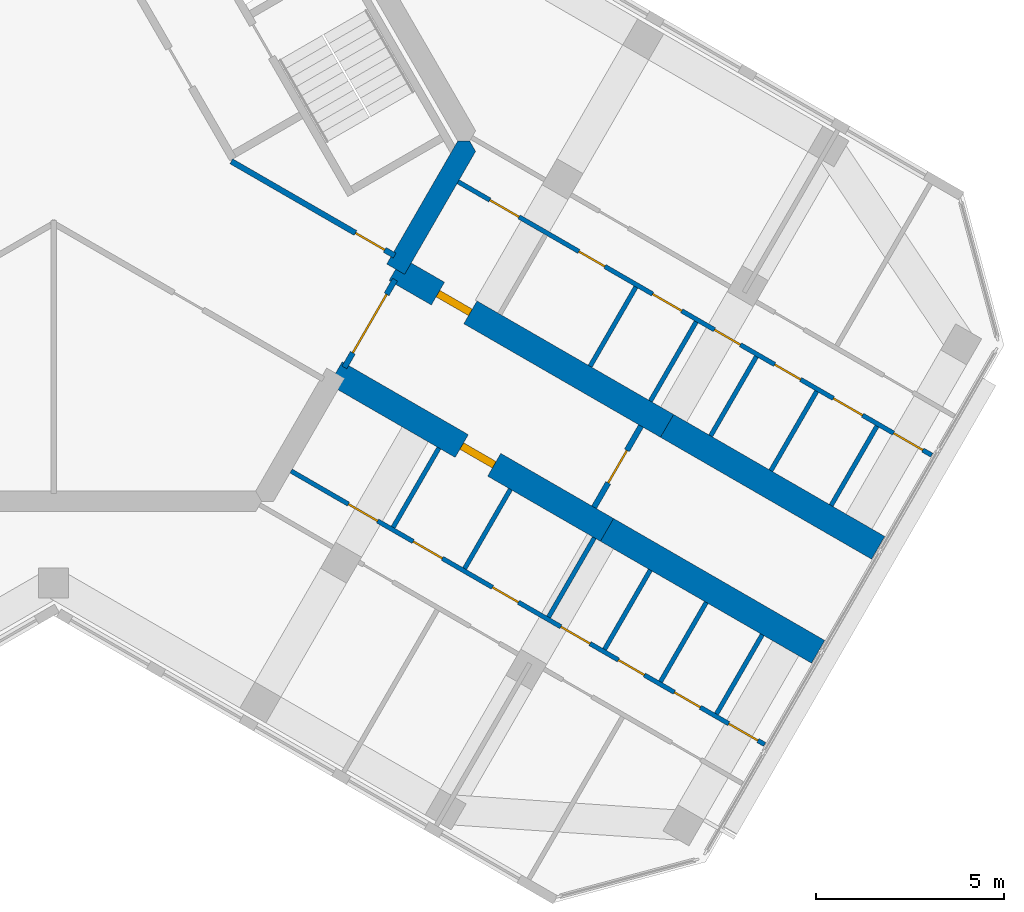
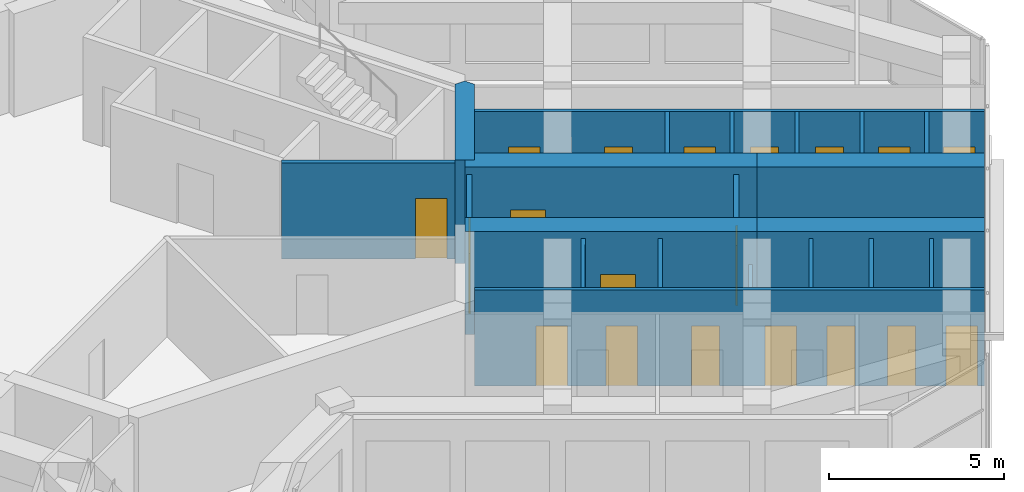
# One storey, part 10 of 14: 21 walls, 19 doors, 19 openings.
"""IFC4 building model written with IfcOpenShell, lengths in metres."""

import ifcopenshell
import ifcopenshell.guid

model = None  # the IFC model being written
_history = None  # IfcOwnerHistory: only IFC2X3 demands one
_inside = {}  # id of a spatial element -> (the spatial element, [elements in it])
_under = {}  # id of a project, library or spatial element -> (it, [spatial elements below it])
_declared = {}  # id of a project -> (the project, [libraries it declares])
_typed = {}  # id of a type object -> (the type object, [elements of that type])
_made_of = {}  # id of a material, layer set ... -> (it, [elements and type objects made of it])


def new_model(schema):
    """Start an empty IFC model of exactly this schema.

    Asked for "IFC4X3", IfcOpenShell would pick the latest addendum, in which some entities
    have other attributes; the version numbers below select the first issue.
    IFC2X3 requires an IfcOwnerHistory on every rooted entity: one is made here for all.
    """
    global model, _history
    if schema == "IFC4X3":
        model = ifcopenshell.file(schema_version=(4, 3, 0, 0))
    else:
        model = ifcopenshell.file(schema=schema)
    _inside.clear()
    _under.clear()
    _declared.clear()
    _typed.clear()
    _made_of.clear()
    _history = None
    if model.schema == "IFC2X3":
        org = make("IfcOrganization", Name="unknown")
        user = make(
            "IfcPersonAndOrganization",
            ThePerson=make("IfcPerson", FamilyName="unknown"),
            TheOrganization=org,
        )
        app = make(
            "IfcApplication",
            ApplicationDeveloper=org,
            Version="unknown",
            ApplicationFullName="unknown",
            ApplicationIdentifier="unknown",
        )
        _history = make(
            "IfcOwnerHistory",
            OwningUser=user,
            OwningApplication=app,
            ChangeAction="ADDED",
            CreationDate=0,
        )
    return model


def make(cls, **values):
    """One entity of the class cls with the attributes given. An attribute that is None is left unset."""
    return model.create_entity(
        cls, **{name: value for name, value in values.items() if value is not None}
    )


def rooted(cls, **values):
    """An entity with a GlobalId (a new one), such as an element, a storey or a relation."""
    return make(cls, GlobalId=ifcopenshell.guid.new(), OwnerHistory=_history, **values)


def si_unit(unit_type, name, prefix=None):
    """IfcSIUnit, for example si_unit("LENGTHUNIT", "METRE", prefix="MILLI")."""
    return make("IfcSIUnit", UnitType=unit_type, Prefix=prefix, Name=name)


def assignment(units):
    """IfcUnitAssignment: the units of a project."""
    return None if units is None else make("IfcUnitAssignment", Units=units)


def point(xyz):
    """IfcCartesianPoint."""
    return None if xyz is None else make("IfcCartesianPoint", Coordinates=xyz)


def direction(xyz):
    """IfcDirection."""
    return None if xyz is None else make("IfcDirection", DirectionRatios=xyz)


def frame(location, z_axis=None, x_axis=None):
    """IfcAxis2Placement3D, a coordinate frame: its origin and axes. An axis left out is left unset."""
    return make(
        "IfcAxis2Placement3D",
        Location=point(location),
        Axis=direction(z_axis),
        RefDirection=direction(x_axis),
    )


def frame_2d(location, x_axis=None):
    """IfcAxis2Placement2D, a coordinate frame in the plane: its origin and x axis."""
    return make(
        "IfcAxis2Placement2D", Location=point(location), RefDirection=direction(x_axis)
    )


def origin():
    """The frame at (0, 0, 0) with its axes left unset."""
    return frame((0.0, 0.0, 0.0))


def place(relative_to, where):
    """IfcLocalPlacement: puts the frame where relative to a parent placement (None: the world)."""
    return make(
        "IfcLocalPlacement", PlacementRelTo=relative_to, RelativePlacement=where
    )


def context(
    kind, dimensions, precision=None, world=None, true_north=None, identifier=None
):
    """IfcGeometricRepresentationContext, for example the 3D "Model" context."""
    return make(
        "IfcGeometricRepresentationContext",
        ContextIdentifier=identifier,
        ContextType=kind,
        CoordinateSpaceDimension=dimensions,
        Precision=precision,
        WorldCoordinateSystem=world,
        TrueNorth=true_north,
    )


def subcontext(parent, identifier, kind, view, scale=None):
    """IfcGeometricRepresentationSubContext, for example "Body" below "Model"."""
    return make(
        "IfcGeometricRepresentationSubContext",
        ContextIdentifier=identifier,
        ContextType=kind,
        ParentContext=parent,
        TargetScale=scale,
        TargetView=view,
    )


def project(units=None, contexts=None):
    """IfcProject with its units and contexts."""
    return rooted(
        "IfcProject",
        Name="project",
        RepresentationContexts=contexts,
        UnitsInContext=assignment(units),
    )


def spatial(cls, under=None, at=None, **own):
    """A site, building, storey or space (cls), placed at a placement, below another one or the project."""
    s = rooted(cls, ObjectPlacement=at, **own)
    if under is not None:
        _under.setdefault(under.id(), (under, []))[1].append(s)
    return s


def polyline(points):
    """IfcPolyline through the points."""
    return make("IfcPolyline", Points=[point(p) for p in points])


def profile(cls, at=None, kind="AREA", **sizes):
    """A parametric profile (cls). Its sizes go by their IFC names, for example OverallWidth=200.0."""
    return make(cls, ProfileType=kind, Position=at, **sizes)


def rectangle(**sizes):
    """IfcRectangleProfileDef."""
    return profile("IfcRectangleProfileDef", **sizes)


def outline(outer, holes=None, kind="AREA"):
    """IfcArbitraryClosedProfileDef: a profile drawn as a closed curve; with holes, ...WithVoids."""
    if holes is None:
        return make("IfcArbitraryClosedProfileDef", ProfileType=kind, OuterCurve=outer)
    return make(
        "IfcArbitraryProfileDefWithVoids",
        ProfileType=kind,
        OuterCurve=outer,
        InnerCurves=holes,
    )


def extrude(swept, where, along, depth):
    """IfcExtrudedAreaSolid: the profile swept, set in the frame where, extruded along a direction by depth."""
    return make(
        "IfcExtrudedAreaSolid",
        SweptArea=swept,
        Position=where,
        ExtrudedDirection=direction(along),
        Depth=depth,
    )


def shape(context_of_items, identifier, shape_type, items):
    """IfcShapeRepresentation: the items that make up one representation, for example the "Body"."""
    return make(
        "IfcShapeRepresentation",
        ContextOfItems=context_of_items,
        RepresentationIdentifier=identifier,
        RepresentationType=shape_type,
        Items=items,
    )


def material(Name=None, Category=None):
    """IfcMaterial."""
    return make("IfcMaterial", Name=Name, Category=Category)


def layer(
    of_material, thickness, ventilated=None, Name=None, Category=None, Priority=None
):
    """IfcMaterialLayer: one layer of a wall or slab, of a material (None: an air gap)."""
    return make(
        "IfcMaterialLayer",
        Material=of_material,
        LayerThickness=thickness,
        IsVentilated=ventilated,
        Name=Name,
        Category=Category,
        Priority=Priority,
    )


def layer_set(layers, Name=None):
    """IfcMaterialLayerSet."""
    return make("IfcMaterialLayerSet", MaterialLayers=layers, LayerSetName=Name)


def made_of(thing, what):
    """Note that an element or type object is made of a material, layer set ...; save() writes the relation."""
    if what is not None:
        _made_of.setdefault(what.id(), (what, []))[1].append(thing)
    return thing


def type_object(cls, material=None, **own):
    """A type object (cls), such as IfcWallType, which elements share."""
    return made_of(rooted(cls, **own), material)


def element(
    cls,
    number,
    at=None,
    inside=None,
    cuts=None,
    type_object=None,
    material=None,
    context=None,
    identifier="Body",
    shape_type=None,
    held_by="IfcProductDefinitionShape",
    body=None,
    shapes=None,
    **own,
):
    """One element of the class cls, such as IfcWall. Its Tag is "e" and its number.

    at: its placement. inside: the storey or other place that contains it. cuts: it is an
    opening in that element (IfcRelVoidsElement). A single representation is given by context,
    identifier, shape_type and body (its items); several are given by shapes. held_by: the class
    of the entity that holds the representations. save() writes the other relations.
    """
    e = rooted(cls, Tag="e%d" % number, ObjectPlacement=at, **own)
    if body is not None:
        shapes = [shape(context, identifier, shape_type, body)]
    if shapes is not None:
        e.Representation = make(held_by, Representations=shapes)
    if inside is not None:
        _inside.setdefault(inside.id(), (inside, []))[1].append(e)
    if cuts is not None:
        rooted(
            "IfcRelVoidsElement", RelatingBuildingElement=cuts, RelatedOpeningElement=e
        )
    if type_object is not None:
        _typed.setdefault(type_object.id(), (type_object, []))[1].append(e)
    return made_of(e, material)


def fill(opening, filler):
    """IfcRelFillsElement: the door or window that sits in an opening."""
    return rooted(
        "IfcRelFillsElement",
        RelatingOpeningElement=opening,
        RelatedBuildingElement=filler,
    )


def aggregate(whole, parts):
    """IfcRelAggregates: a whole, such as a stair, and the parts it consists of."""
    return rooted("IfcRelAggregates", RelatingObject=whole, RelatedObjects=parts)


def save(model, path):
    """Write the relations noted so far, then the file.

    IfcRelAggregates (storeys below a building ...), IfcRelContainedInSpatialStructure (elements
    in a storey), IfcRelDefinesByType, IfcRelAssociatesMaterial and IfcRelDeclares: one each for
    every whole, place, type object, material and project.
    """
    for whole, parts in _under.values():
        aggregate(whole, parts)
    for where, things in _inside.values():
        rooted(
            "IfcRelContainedInSpatialStructure",
            RelatedElements=things,
            RelatingStructure=where,
        )
    for kind, things in _typed.values():
        rooted("IfcRelDefinesByType", RelatedObjects=things, RelatingType=kind)
    for what, things in _made_of.values():
        rooted("IfcRelAssociatesMaterial", RelatedObjects=things, RelatingMaterial=what)
    for by, libraries in _declared.values():
        rooted("IfcRelDeclares", RelatingContext=by, RelatedDefinitions=libraries)
    model.write(path)


model = new_model("IFC4")

# Units and contexts
model_context = context("Model", 3, precision=1e-05, world=origin(), true_north=direction((0.0, 1.0)))
body_context = subcontext(model_context, "Body", "Model", "MODEL_VIEW")
ifc_project = project(units=[si_unit("LENGTHUNIT", "METRE"), si_unit("AREAUNIT", "SQUARE_METRE"), si_unit("VOLUMEUNIT", "CUBIC_METRE"), si_unit("PLANEANGLEUNIT", "RADIAN"), si_unit("MASSUNIT", "GRAM", prefix="KILO")], contexts=[model_context])

# Site, building, storey
site_placement = place(None, origin())
site = spatial("IfcSite", under=ifc_project, at=site_placement, CompositionType="ELEMENT")
building_placement = place(site_placement, origin())
building = spatial("IfcBuilding", under=site, at=building_placement, Name="Kosmar Iwan School Tower", CompositionType="ELEMENT")
storey_placement = place(building_placement, frame((0.0, 0.0, 274.60009765625)))
storey = spatial("IfcBuildingStorey", under=building, at=storey_placement, Name="L69", CompositionType="ELEMENT", Elevation=274.60009765625)

# Wall, opening, door
ifc_material_1 = material(Name="Gypsum board on steel studs, fire-rated", Category="steel")
ifc_layer_1 = layer(ifc_material_1, 0.14990234375)
ifc_layer_set_1 = layer_set([ifc_layer_1], Name="Core room partition 150")
wall_type_1 = type_object("IfcWallType", Name="Core room partition 150", PredefinedType="PARTITIONING", material=ifc_layer_set_1)
wall_1_placement = place(storey_placement, frame((9.08642578125, -3.052001953125, 0.0), z_axis=(0.0, 0.0, 1.0), x_axis=(-0.866027799164, 0.499995851058, 0.0)))
wall_1 = element("IfcWall", 1, at=wall_1_placement, inside=storey, type_object=wall_type_1, Name="Core room partition L69-CW8", PredefinedType="PARTITIONING", context=body_context, shape_type="SweptSolid", body=[
    extrude(rectangle(XDim=5.0244140625, YDim=0.14990234375, at=frame_2d((2.51220703125, 0.0))), origin(), (0.0, 0.0, 1.0), 3.349853515625),
])
opening_1_placement = place(wall_1_placement, frame((0.304931640625, 0.0, 0.0)))
opening_1 = element("IfcOpeningElement", 2, at=opening_1_placement, cuts=wall_1, Name="Opening D14", PredefinedType="OPENING", context=body_context, shape_type="SweptSolid", body=[
    extrude(rectangle(XDim=0.89990234375, YDim=2.10009765625, at=frame_2d((0.449951171875, 1.050048828125))), frame((0.0, 0.0869140625, 0.0), z_axis=(0.0, -1.0, 0.0), x_axis=(1.0, 0.0, 0.0)), (0.0, 0.0, 1.0), 0.173828125),
])
ifc_material_2 = material(Name="Timber fire door in steel frame", Category="steel")
door_type_1 = type_object("IfcDoorType", Name="Core room door 900x2100", OperationType="SINGLE_SWING_LEFT", PredefinedType="DOOR", material=ifc_material_2)
door_1_placement = place(opening_1_placement, origin())
door_1 = element("IfcDoor", 3, at=door_1_placement, inside=storey, type_object=door_type_1, Name="Water meter room door L69 5", OperationType="SINGLE_SWING_LEFT", OverallHeight=2.10009765625, OverallWidth=0.89990234375, PredefinedType="DOOR", context=body_context, shape_type="SweptSolid", body=[
    extrude(rectangle(XDim=0.89990234375, YDim=2.10009765625, at=frame_2d((0.449951171875, 1.050048828125))), frame((0.0, 0.02490234375, 0.0), z_axis=(0.0, -1.0, 0.0), x_axis=(1.0, 0.0, 0.0)), (0.0, 0.0, 1.0), 0.050048828125),
])
fill(opening_1, door_1)

# Wall
ifc_material_3 = material(Name="Concrete C50/60", Category="concrete")
ifc_layer_2 = layer(ifc_material_3, 0.550048828125)
ifc_layer_set_2 = layer_set([ifc_layer_2], Name="Core wall 550")
wall_type_2 = type_object("IfcWallType", Name="Core wall 550", PredefinedType="SHEAR", material=ifc_layer_set_2)
wall_2_placement = place(storey_placement, origin())
element("IfcWall", 4, at=wall_2_placement, inside=storey, type_object=wall_type_2, Name="Core wall F330b", PredefinedType="SHEAR", context=body_context, shape_type="SweptSolid", body=[
    extrude(outline(polyline([(9.35205078125, -3.5517578125), (11.243896484375, -0.27490234375), (11.085205078125, 0.0), (10.767578125, 0.0), (8.875732421875, -3.27685546875), (9.35205078125, -3.5517578125)])), origin(), (0.0, 0.0, 1.0), 3.599853515625),
])

# Wall, opening, door
ifc_material_4 = material(Name="Concrete C50/60", Category="concrete")
ifc_layer_3 = layer(ifc_material_4, 0.699951171875)
ifc_layer_set_3 = layer_set([ifc_layer_3], Name="Corridor buttress wall 700")
wall_type_3 = type_object("IfcWallType", Name="Corridor buttress wall 700", PredefinedType="SHEAR", material=ifc_layer_set_3)
wall_3_placement = place(storey_placement, frame((9.11376953125, -3.414306640625, 0.0), z_axis=(0.0, 0.0, 1.0), x_axis=(0.866026859388, -0.499997478812, 0.0)))
wall_3 = element("IfcWall", 5, at=wall_3_placement, inside=storey, type_object=wall_type_3, Name="Corridor wall CL", PredefinedType="SHEAR", context=body_context, shape_type="SweptSolid", body=[
    extrude(rectangle(XDim=8.35009765625, YDim=0.699951171875, at=frame_2d((4.175048828125, 0.0))), origin(), (0.0, 0.0, 1.0), 3.599853515625),
])
opening_2_placement = place(wall_3_placement, frame((1.300048828125, 0.0, 0.0)))
opening_2 = element("IfcOpeningElement", 6, at=opening_2_placement, cuts=wall_3, Name="Opening D1", PredefinedType="OPENING", context=body_context, shape_type="SweptSolid", body=[
    extrude(rectangle(XDim=1.0, YDim=2.10009765625, at=frame_2d((0.5, 1.050048828125))), frame((0.0, 0.362060546875, 0.0), z_axis=(0.0, -1.0, 0.0), x_axis=(1.0, 0.0, 0.0)), (0.0, 0.0, 1.0), 0.723876953125),
])
ifc_material_5 = material(Name="Timber fire door in steel frame", Category="steel")
door_type_2 = type_object("IfcDoorType", Name="Flat entrance door 1000x2100", OperationType="SINGLE_SWING_LEFT", PredefinedType="DOOR", material=ifc_material_5)
door_2_placement = place(opening_2_placement, origin())
door_2 = element("IfcDoor", 7, at=door_2_placement, inside=storey, type_object=door_type_2, Name="Flat L69-CL1 entrance door", OperationType="SINGLE_SWING_RIGHT", OverallHeight=2.10009765625, OverallWidth=1.0, PredefinedType="DOOR", context=body_context, shape_type="SweptSolid", body=[
    extrude(rectangle(XDim=1.0, YDim=2.10009765625, at=frame_2d((0.5, 1.050048828125))), frame((0.0, 0.10009765625, 0.0), z_axis=(0.0, -1.0, 0.0), x_axis=(1.0, 0.0, 0.0)), (0.0, 0.0, 1.0), 0.199951171875),
])
fill(opening_2, door_2)

# Wall
wall_4_placement = place(storey_placement, frame((16.34521484375, -7.58935546875, 0.0), z_axis=(0.0, 0.0, 1.0), x_axis=(0.866018451174, -0.500012042081, 0.0)))
element("IfcWall", 8, at=wall_4_placement, inside=storey, type_object=wall_type_3, Name="Corridor wall CL bay 2", PredefinedType="SHEAR", context=body_context, shape_type="SweptSolid", body=[
    extrude(rectangle(XDim=6.494873046875, YDim=0.699951171875, at=frame_2d((3.24755859375, 0.0))), origin(), (0.0, 0.0, 1.0), 3.599853515625),
])

# Wall, opening, door
wall_5_placement = place(storey_placement, frame((7.513916015625, -6.185546875, 0.0), z_axis=(0.0, 0.0, 1.0), x_axis=(0.866019549707, -0.500010139422, 0.0)))
wall_5 = element("IfcWall", 9, at=wall_5_placement, inside=storey, type_object=wall_type_3, Name="Corridor wall CR", PredefinedType="SHEAR", context=body_context, shape_type="SweptSolid", body=[
    extrude(rectangle(XDim=8.349853515625, YDim=0.699951171875, at=frame_2d((4.1748046875, 0.0))), origin(), (0.0, 0.0, 1.0), 3.599853515625),
])
opening_3_placement = place(wall_5_placement, frame((3.8798828125, 0.0, 0.0)))
opening_3 = element("IfcOpeningElement", 10, at=opening_3_placement, cuts=wall_5, Name="Opening D1", PredefinedType="OPENING", context=body_context, shape_type="SweptSolid", body=[
    extrude(rectangle(XDim=1.0, YDim=2.10009765625, at=frame_2d((0.5, 1.050048828125))), frame((0.0, 0.362060546875, 0.0), z_axis=(0.0, -1.0, 0.0), x_axis=(1.0, 0.0, 0.0)), (0.0, 0.0, 1.0), 0.723876953125),
])
door_3_placement = place(opening_3_placement, origin())
door_3 = element("IfcDoor", 11, at=door_3_placement, inside=storey, type_object=door_type_2, Name="Flat L69-CR1 entrance door", OperationType="SINGLE_SWING_RIGHT", OverallHeight=2.10009765625, OverallWidth=1.0, PredefinedType="DOOR", context=body_context, shape_type="SweptSolid", body=[
    extrude(rectangle(XDim=1.0, YDim=2.10009765625, at=frame_2d((0.5, 1.050048828125))), frame((0.0, 0.10009765625, 0.0), z_axis=(0.0, -1.0, 0.0), x_axis=(1.0, 0.0, 0.0)), (0.0, 0.0, 1.0), 0.199951171875),
])
fill(opening_3, door_3)

# Wall
wall_6_placement = place(storey_placement, frame((14.7451171875, -10.360595703125, 0.0), z_axis=(0.0, 0.0, 1.0), x_axis=(0.866027848477, -0.499995765644, 0.0)))
element("IfcWall", 12, at=wall_6_placement, inside=storey, type_object=wall_type_3, Name="Corridor wall CR bay 2", PredefinedType="SHEAR", context=body_context, shape_type="SweptSolid", body=[
    extrude(rectangle(XDim=6.4951171875, YDim=0.699951171875, at=frame_2d((3.24755859375, 0.0))), origin(), (0.0, 0.0, 1.0), 3.599853515625),
])

# Wall, opening, door
ifc_material_6 = material(Name="Gypsum board on steel studs, fire-rated", Category="steel")
ifc_layer_4 = layer(ifc_material_6, 0.14990234375)
ifc_layer_set_4 = layer_set([ifc_layer_4], Name="Corridor end wall 150")
wall_type_4 = type_object("IfcWallType", Name="Corridor end wall 150", PredefinedType="PARTITIONING", material=ifc_layer_set_4)
wall_7_placement = place(storey_placement, frame((14.400634765625, -9.757568359375, 0.0), z_axis=(0.0, 0.0, 1.0), x_axis=(0.500004234368, 0.866022959057, 0.0)))
wall_7 = element("IfcWall", 13, at=wall_7_placement, inside=storey, type_object=wall_type_4, Name="Partition L69-C-CE", PredefinedType="PARTITIONING", context=body_context, shape_type="SweptSolid", body=[
    extrude(rectangle(XDim=2.5, YDim=0.14990234375, at=frame_2d((1.25, 0.0))), origin(), (0.0, 0.0, 1.0), 3.349853515625),
])
opening_4_placement = place(wall_7_placement, frame((0.75, 0.0, 0.0)))
opening_4 = element("IfcOpeningElement", 14, at=opening_4_placement, cuts=wall_7, Name="Opening D13", PredefinedType="OPENING", context=body_context, shape_type="SweptSolid", body=[
    extrude(rectangle(XDim=1.0, YDim=2.10009765625, at=frame_2d((0.5, 1.050048828125))), frame((0.0, 0.0869140625, 0.0), z_axis=(0.0, -1.0, 0.0), x_axis=(1.0, 0.0, 0.0)), (0.0, 0.0, 1.0), 0.173828125),
])
ifc_material_7 = material(Name="Timber fire door with vision panel", Category="wood")
door_type_3 = type_object("IfcDoorType", Name="Corridor end door 1000x2100", OperationType="SINGLE_SWING_LEFT", PredefinedType="DOOR", material=ifc_material_7)
door_4_placement = place(opening_4_placement, origin())
door_4 = element("IfcDoor", 15, at=door_4_placement, inside=storey, type_object=door_type_3, Name="Reading room door L69-C", OperationType="SINGLE_SWING_RIGHT", OverallHeight=2.10009765625, OverallWidth=1.0, PredefinedType="DOOR", context=body_context, shape_type="SweptSolid", body=[
    extrude(rectangle(XDim=1.0, YDim=2.10009765625, at=frame_2d((0.5, 1.050048828125))), frame((0.0, 0.02490234375, 0.0), z_axis=(0.0, -1.0, 0.0), x_axis=(1.0, 0.0, 0.0)), (0.0, 0.0, 1.0), 0.050048828125),
])
fill(opening_4, door_4)

ifc_material_8 = material(Name="Steel framed glazed screen", Category="steel")
ifc_layer_5 = layer(ifc_material_8, 0.14990234375)
ifc_layer_set_5 = layer_set([ifc_layer_5], Name="Corridor screen wall 150")
wall_type_5 = type_object("IfcWallType", Name="Corridor screen wall 150", PredefinedType="PARTITIONING", material=ifc_layer_set_5)
wall_8_placement = place(storey_placement, frame((7.7470703125, -6.03173828125, 0.0), z_axis=(0.0, 0.0, 1.0), x_axis=(0.50000943426, 0.866019956843, 0.0)))
wall_8 = element("IfcWall", 16, at=wall_8_placement, inside=storey, type_object=wall_type_5, Name="Corridor screen C L69", PredefinedType="PARTITIONING", context=body_context, shape_type="SweptSolid", body=[
    extrude(rectangle(XDim=2.7001953125, YDim=0.14990234375, at=frame_2d((1.35009765625, 0.0))), origin(), (0.0, 0.0, 1.0), 3.349853515625),
])
opening_5_placement = place(wall_8_placement, frame((0.449951171875, 0.0, 0.0)))
opening_5 = element("IfcOpeningElement", 17, at=opening_5_placement, cuts=wall_8, Name="Opening D9", PredefinedType="OPENING", context=body_context, shape_type="SweptSolid", body=[
    extrude(rectangle(XDim=1.800048828125, YDim=2.10009765625, at=frame_2d((0.89990234375, 1.050048828125))), frame((0.0, 0.0869140625, 0.0), z_axis=(0.0, -1.0, 0.0), x_axis=(1.0, 0.0, 0.0)), (0.0, 0.0, 1.0), 0.173828125),
])
ifc_material_9 = material(Name="Steel framed glazed smoke door", Category="steel")
door_type_4 = type_object("IfcDoorType", Name="Corridor smoke door pair 1800x2100", OperationType="DOUBLE_DOOR_DOUBLE_SWING", PredefinedType="DOOR", material=ifc_material_9)
door_5_placement = place(opening_5_placement, origin())
door_5 = element("IfcDoor", 18, at=door_5_placement, inside=storey, type_object=door_type_4, Name="Corridor doors C L69", OperationType="DOUBLE_DOOR_DOUBLE_SWING", OverallHeight=2.10009765625, OverallWidth=1.800048828125, PredefinedType="DOOR", context=body_context, shape_type="SweptSolid", body=[
    extrude(rectangle(XDim=1.800048828125, YDim=2.10009765625, at=frame_2d((0.89990234375, 1.050048828125))), frame((0.0, 0.02490234375, 0.0), z_axis=(0.0, -1.0, 0.0), x_axis=(1.0, 0.0, 0.0)), (0.0, 0.0, 1.0), 0.050048828125),
])
fill(opening_5, door_5)

# Wall, openings, doors
ifc_material_10 = material(Name="Gypsum board on steel studs", Category="steel")
ifc_layer_6 = layer(ifc_material_10, 0.1201171875)
ifc_layer_set_6 = layer_set([ifc_layer_6], Name="Dwelling partition 120")
wall_type_6 = type_object("IfcWallType", Name="Dwelling partition 120", PredefinedType="PARTITIONING", material=ifc_layer_set_6)
wall_9_placement = place(storey_placement, frame((10.777099609375, -1.083740234375, 0.0), z_axis=(0.0, 0.0, 1.0), x_axis=(0.866026811131, -0.499997562396, 0.0)))
wall_9 = element("IfcWall", 19, at=wall_9_placement, inside=storey, type_object=wall_type_6, Name="Partition L69-CL1-W1", PredefinedType="PARTITIONING", context=body_context, shape_type="SweptSolid", body=[
    extrude(rectangle(XDim=14.56982421875, YDim=0.1201171875, at=frame_2d((7.284912109375, 0.0))), origin(), (0.0, 0.0, 1.0), 3.349853515625),
])
opening_6_placement = place(wall_9_placement, frame((0.97509765625, 0.0, 0.0)))
opening_6 = element("IfcOpeningElement", 20, at=opening_6_placement, cuts=wall_9, Name="Opening D2", PredefinedType="OPENING", context=body_context, shape_type="SweptSolid", body=[
    extrude(rectangle(XDim=0.89990234375, YDim=2.10009765625, at=frame_2d((0.449951171875, 1.050048828125))), frame((0.0, 0.072021484375, 0.0), z_axis=(0.0, -1.0, 0.0), x_axis=(1.0, 0.0, 0.0)), (0.0, 0.0, 1.0), 0.14404296875),
])
opening_7_placement = place(wall_9_placement, frame((3.71533203125, 0.0, 0.0)))
opening_7 = element("IfcOpeningElement", 21, at=opening_7_placement, cuts=wall_9, Name="Opening D3", PredefinedType="OPENING", context=body_context, shape_type="SweptSolid", body=[
    extrude(rectangle(XDim=0.800048828125, YDim=2.10009765625, at=frame_2d((0.39990234375, 1.050048828125))), frame((0.0, 0.072021484375, 0.0), z_axis=(0.0, -1.0, 0.0), x_axis=(1.0, 0.0, 0.0)), (0.0, 0.0, 1.0), 0.14404296875),
])
opening_8_placement = place(wall_9_placement, frame((5.982666015625, 0.0, 0.0)))
opening_8 = element("IfcOpeningElement", 22, at=opening_8_placement, cuts=wall_9, Name="Opening D2", PredefinedType="OPENING", context=body_context, shape_type="SweptSolid", body=[
    extrude(rectangle(XDim=0.89990234375, YDim=2.10009765625, at=frame_2d((0.449951171875, 1.050048828125))), frame((0.0, 0.072021484375, 0.0), z_axis=(0.0, -1.0, 0.0), x_axis=(1.0, 0.0, 0.0)), (0.0, 0.0, 1.0), 0.14404296875),
])
opening_9_placement = place(wall_9_placement, frame((7.886474609375, 0.0, 0.0)))
opening_9 = element("IfcOpeningElement", 23, at=opening_9_placement, cuts=wall_9, Name="Opening D3", PredefinedType="OPENING", context=body_context, shape_type="SweptSolid", body=[
    extrude(rectangle(XDim=0.800048828125, YDim=2.10009765625, at=frame_2d((0.39990234375, 1.050048828125))), frame((0.0, 0.072021484375, 0.0), z_axis=(0.0, -1.0, 0.0), x_axis=(1.0, 0.0, 0.0)), (0.0, 0.0, 1.0), 0.14404296875),
])
opening_10_placement = place(wall_9_placement, frame((9.740478515625, 0.0, 0.0)))
opening_10 = element("IfcOpeningElement", 24, at=opening_10_placement, cuts=wall_9, Name="Opening D3", PredefinedType="OPENING", context=body_context, shape_type="SweptSolid", body=[
    extrude(rectangle(XDim=0.800048828125, YDim=2.10009765625, at=frame_2d((0.39990234375, 1.050048828125))), frame((0.0, 0.072021484375, 0.0), z_axis=(0.0, -1.0, 0.0), x_axis=(1.0, 0.0, 0.0)), (0.0, 0.0, 1.0), 0.14404296875),
])
opening_11_placement = place(wall_9_placement, frame((11.544189453125, 0.0, 0.0)))
opening_11 = element("IfcOpeningElement", 25, at=opening_11_placement, cuts=wall_9, Name="Opening D2", PredefinedType="OPENING", context=body_context, shape_type="SweptSolid", body=[
    extrude(rectangle(XDim=0.89990234375, YDim=2.10009765625, at=frame_2d((0.449951171875, 1.050048828125))), frame((0.0, 0.072021484375, 0.0), z_axis=(0.0, -1.0, 0.0), x_axis=(1.0, 0.0, 0.0)), (0.0, 0.0, 1.0), 0.14404296875),
])
opening_12_placement = place(wall_9_placement, frame((13.398193359375, 0.0, 0.0)))
opening_12 = element("IfcOpeningElement", 26, at=opening_12_placement, cuts=wall_9, Name="Opening D2", PredefinedType="OPENING", context=body_context, shape_type="SweptSolid", body=[
    extrude(rectangle(XDim=0.89990234375, YDim=2.10009765625, at=frame_2d((0.449951171875, 1.050048828125))), frame((0.0, 0.072021484375, 0.0), z_axis=(0.0, -1.0, 0.0), x_axis=(1.0, 0.0, 0.0)), (0.0, 0.0, 1.0), 0.14404296875),
])
ifc_material_11 = material(Name="Timber door in timber frame", Category="wood")
door_type_5 = type_object("IfcDoorType", Name="Internal door 900x2100", OperationType="SINGLE_SWING_LEFT", PredefinedType="DOOR", material=ifc_material_11)
door_6_placement = place(opening_6_placement, origin())
door_6 = element("IfcDoor", 27, at=door_6_placement, inside=storey, type_object=door_type_5, Name="Entrance hall door L69-CL1-S1", OperationType="SINGLE_SWING_LEFT", OverallHeight=2.10009765625, OverallWidth=0.89990234375, PredefinedType="DOOR", context=body_context, shape_type="SweptSolid", body=[
    extrude(rectangle(XDim=0.89990234375, YDim=2.10009765625, at=frame_2d((0.449951171875, 1.050048828125))), frame((0.0, 0.02490234375, 0.0), z_axis=(0.0, -1.0, 0.0), x_axis=(1.0, 0.0, 0.0)), (0.0, 0.0, 1.0), 0.050048828125),
])
fill(opening_6, door_6)
door_7_placement = place(opening_8_placement, origin())
door_7 = element("IfcDoor", 28, at=door_7_placement, inside=storey, type_object=door_type_5, Name="Pantry door L69-CL1-S3", OperationType="SINGLE_SWING_LEFT", OverallHeight=2.10009765625, OverallWidth=0.89990234375, PredefinedType="DOOR", context=body_context, shape_type="SweptSolid", body=[
    extrude(rectangle(XDim=0.89990234375, YDim=2.10009765625, at=frame_2d((0.449951171875, 1.050048828125))), frame((0.0, 0.02490234375, 0.0), z_axis=(0.0, -1.0, 0.0), x_axis=(1.0, 0.0, 0.0)), (0.0, 0.0, 1.0), 0.050048828125),
])
fill(opening_8, door_7)
door_8_placement = place(opening_11_placement, origin())
door_8 = element("IfcDoor", 29, at=door_8_placement, inside=storey, type_object=door_type_5, Name="Utility room door L69-CL1-S6", OperationType="SINGLE_SWING_RIGHT", OverallHeight=2.10009765625, OverallWidth=0.89990234375, PredefinedType="DOOR", context=body_context, shape_type="SweptSolid", body=[
    extrude(rectangle(XDim=0.89990234375, YDim=2.10009765625, at=frame_2d((0.449951171875, 1.050048828125))), frame((0.0, 0.02490234375, 0.0), z_axis=(0.0, -1.0, 0.0), x_axis=(1.0, 0.0, 0.0)), (0.0, 0.0, 1.0), 0.050048828125),
])
fill(opening_11, door_8)
door_9_placement = place(opening_12_placement, origin())
door_9 = element("IfcDoor", 30, at=door_9_placement, inside=storey, type_object=door_type_5, Name="Dressing room door L69-CL1-S7", OperationType="SINGLE_SWING_RIGHT", OverallHeight=2.10009765625, OverallWidth=0.89990234375, PredefinedType="DOOR", context=body_context, shape_type="SweptSolid", body=[
    extrude(rectangle(XDim=0.89990234375, YDim=2.10009765625, at=frame_2d((0.449951171875, 1.050048828125))), frame((0.0, 0.02490234375, 0.0), z_axis=(0.0, -1.0, 0.0), x_axis=(1.0, 0.0, 0.0)), (0.0, 0.0, 1.0), 0.050048828125),
])
fill(opening_12, door_9)
ifc_material_12 = material(Name="Timber door in timber frame", Category="wood")
door_type_6 = type_object("IfcDoorType", Name="Sanitary room door 800x2100", OperationType="SINGLE_SWING_LEFT", PredefinedType="DOOR", material=ifc_material_12)
door_10_placement = place(opening_7_placement, origin())
door_10 = element("IfcDoor", 31, at=door_10_placement, inside=storey, type_object=door_type_6, Name="Bathroom door L69-CL1-S2", OperationType="SINGLE_SWING_LEFT", OverallHeight=2.10009765625, OverallWidth=0.800048828125, PredefinedType="DOOR", context=body_context, shape_type="SweptSolid", body=[
    extrude(rectangle(XDim=0.800048828125, YDim=2.10009765625, at=frame_2d((0.39990234375, 1.050048828125))), frame((0.0, 0.02490234375, 0.0), z_axis=(0.0, -1.0, 0.0), x_axis=(1.0, 0.0, 0.0)), (0.0, 0.0, 1.0), 0.050048828125),
])
fill(opening_7, door_10)
door_11_placement = place(opening_9_placement, origin())
door_11 = element("IfcDoor", 32, at=door_11_placement, inside=storey, type_object=door_type_6, Name="WC door L69-CL1-S4", OperationType="SINGLE_SWING_RIGHT", OverallHeight=2.10009765625, OverallWidth=0.800048828125, PredefinedType="DOOR", context=body_context, shape_type="SweptSolid", body=[
    extrude(rectangle(XDim=0.800048828125, YDim=2.10009765625, at=frame_2d((0.39990234375, 1.050048828125))), frame((0.0, 0.02490234375, 0.0), z_axis=(0.0, -1.0, 0.0), x_axis=(1.0, 0.0, 0.0)), (0.0, 0.0, 1.0), 0.050048828125),
])
fill(opening_9, door_11)
door_12_placement = place(opening_10_placement, origin())
door_12 = element("IfcDoor", 33, at=door_12_placement, inside=storey, type_object=door_type_6, Name="Store door L69-CL1-S5", OperationType="SINGLE_SWING_RIGHT", OverallHeight=2.10009765625, OverallWidth=0.800048828125, PredefinedType="DOOR", context=body_context, shape_type="SweptSolid", body=[
    extrude(rectangle(XDim=0.800048828125, YDim=2.10009765625, at=frame_2d((0.39990234375, 1.050048828125))), frame((0.0, 0.02490234375, 0.0), z_axis=(0.0, -1.0, 0.0), x_axis=(1.0, 0.0, 0.0)), (0.0, 0.0, 1.0), 0.050048828125),
])
fill(opening_10, door_12)

# Walls
wall_10_placement = place(storey_placement, frame((14.295166015625, -6.001708984375, 0.0), z_axis=(0.0, 0.0, 1.0), x_axis=(0.499959183527, 0.866048967903, 0.0)))
element("IfcWall", 34, at=wall_10_placement, inside=storey, type_object=wall_type_6, Name="Partition L69-CL1-Y2", PredefinedType="PARTITIONING", context=body_context, shape_type="SweptSolid", body=[
    extrude(rectangle(XDim=2.440185546875, YDim=0.1201171875, at=frame_2d((1.22021484375, 0.0))), origin(), (0.0, 0.0, 1.0), 3.349853515625),
])
for number, where, z_axis, x_axis, name in (
    (35, (15.900634765625, -6.928466796875, 0.0), (0.0, 0.0, 1.0), (0.500002508028, 0.866023955769, 0.0), "Partition L69-CL1-Y3"),
    (36, (17.506103515625, -7.85546875, 0.0), (0.0, 0.0, 1.0), (0.500002508028, 0.866023955769, 0.0), "Partition L69-CL1-Y4"),
):
    element("IfcWall", number, at=place(storey_placement, frame(where, z_axis=z_axis, x_axis=x_axis)), inside=storey, type_object=wall_type_6, Name=name, PredefinedType="PARTITIONING", context=body_context, shape_type="SweptSolid", body=[
        extrude(rectangle(XDim=2.43994140625, YDim=0.1201171875, at=frame_2d((1.219970703125, 0.0))), origin(), (0.0, 0.0, 1.0), 3.349853515625),
    ])
wall_11_placement = place(storey_placement, frame((19.111572265625, -8.782470703125, 0.0), z_axis=(0.0, 0.0, 1.0), x_axis=(0.499959183527, 0.866048967903, 0.0)))
element("IfcWall", 37, at=wall_11_placement, inside=storey, type_object=wall_type_6, Name="Partition L69-CL1-Y5", PredefinedType="PARTITIONING", context=body_context, shape_type="SweptSolid", body=[
    extrude(rectangle(XDim=2.440185546875, YDim=0.1201171875, at=frame_2d((1.22021484375, 0.0))), origin(), (0.0, 0.0, 1.0), 3.349853515625),
])
wall_12_placement = place(storey_placement, frame((20.717041015625, -9.709228515625, 0.0), z_axis=(0.0, 0.0, 1.0), x_axis=(0.500002508028, 0.866023955769, 0.0)))
element("IfcWall", 38, at=wall_12_placement, inside=storey, type_object=wall_type_6, Name="Partition L69-CL1-Y6", PredefinedType="PARTITIONING", context=body_context, shape_type="SweptSolid", body=[
    extrude(rectangle(XDim=2.43994140625, YDim=0.1201171875, at=frame_2d((1.219970703125, 0.0))), origin(), (0.0, 0.0, 1.0), 3.349853515625),
])

# Wall, openings, doors
wall_13_placement = place(storey_placement, frame((6.326904296875, -8.791259765625, 0.0), z_axis=(0.0, 0.0, 1.0), x_axis=(0.866023744513, -0.500002873931, 0.0)))
wall_13 = element("IfcWall", 39, at=wall_13_placement, inside=storey, type_object=wall_type_6, Name="Partition L69-CR1-W1", PredefinedType="PARTITIONING", context=body_context, shape_type="SweptSolid", body=[
    extrude(rectangle(XDim=14.5703125, YDim=0.1201171875, at=frame_2d((7.28515625, 0.0))), origin(), (0.0, 0.0, 1.0), 3.349853515625),
])
opening_13_placement = place(wall_13_placement, frame((1.764892578125, 0.0, 0.0)))
opening_13 = element("IfcOpeningElement", 40, at=opening_13_placement, cuts=wall_13, Name="Opening D2", PredefinedType="OPENING", context=body_context, shape_type="SweptSolid", body=[
    extrude(rectangle(XDim=0.89990234375, YDim=2.10009765625, at=frame_2d((0.449951171875, 1.050048828125))), frame((0.0, 0.072021484375, 0.0), z_axis=(0.0, -1.0, 0.0), x_axis=(1.0, 0.0, 0.0)), (0.0, 0.0, 1.0), 0.14404296875),
])
opening_14_placement = place(wall_13_placement, frame((3.755126953125, 0.0, 0.0)))
opening_14 = element("IfcOpeningElement", 41, at=opening_14_placement, cuts=wall_13, Name="Opening D2", PredefinedType="OPENING", context=body_context, shape_type="SweptSolid", body=[
    extrude(rectangle(XDim=0.89990234375, YDim=2.10009765625, at=frame_2d((0.449951171875, 1.050048828125))), frame((0.0, 0.072021484375, 0.0), z_axis=(0.0, -1.0, 0.0), x_axis=(1.0, 0.0, 0.0)), (0.0, 0.0, 1.0), 0.14404296875),
])
opening_15_placement = place(wall_13_placement, frame((6.1962890625, 0.0, 0.0)))
opening_15 = element("IfcOpeningElement", 42, at=opening_15_placement, cuts=wall_13, Name="Opening D3", PredefinedType="OPENING", context=body_context, shape_type="SweptSolid", body=[
    extrude(rectangle(XDim=0.800048828125, YDim=2.10009765625, at=frame_2d((0.39990234375, 1.050048828125))), frame((0.0, 0.072021484375, 0.0), z_axis=(0.0, -1.0, 0.0), x_axis=(1.0, 0.0, 0.0)), (0.0, 0.0, 1.0), 0.14404296875),
])
opening_16_placement = place(wall_13_placement, frame((8.298583984375, 0.0, 0.0)))
opening_16 = element("IfcOpeningElement", 43, at=opening_16_placement, cuts=wall_13, Name="Opening D2", PredefinedType="OPENING", context=body_context, shape_type="SweptSolid", body=[
    extrude(rectangle(XDim=0.89990234375, YDim=2.10009765625, at=frame_2d((0.449951171875, 1.050048828125))), frame((0.0, 0.072021484375, 0.0), z_axis=(0.0, -1.0, 0.0), x_axis=(1.0, 0.0, 0.0)), (0.0, 0.0, 1.0), 0.14404296875),
])
opening_17_placement = place(wall_13_placement, frame((10.070556640625, 0.0, 0.0)))
opening_17 = element("IfcOpeningElement", 44, at=opening_17_placement, cuts=wall_13, Name="Opening D3", PredefinedType="OPENING", context=body_context, shape_type="SweptSolid", body=[
    extrude(rectangle(XDim=0.800048828125, YDim=2.10009765625, at=frame_2d((0.39990234375, 1.050048828125))), frame((0.0, 0.072021484375, 0.0), z_axis=(0.0, -1.0, 0.0), x_axis=(1.0, 0.0, 0.0)), (0.0, 0.0, 1.0), 0.14404296875),
])
opening_18_placement = place(wall_13_placement, frame((11.792236328125, 0.0, 0.0)))
opening_18 = element("IfcOpeningElement", 45, at=opening_18_placement, cuts=wall_13, Name="Opening D3", PredefinedType="OPENING", context=body_context, shape_type="SweptSolid", body=[
    extrude(rectangle(XDim=0.800048828125, YDim=2.10009765625, at=frame_2d((0.39990234375, 1.050048828125))), frame((0.0, 0.072021484375, 0.0), z_axis=(0.0, -1.0, 0.0), x_axis=(1.0, 0.0, 0.0)), (0.0, 0.0, 1.0), 0.14404296875),
])
opening_19_placement = place(wall_13_placement, frame((13.464111328125, 0.0, 0.0)))
opening_19 = element("IfcOpeningElement", 46, at=opening_19_placement, cuts=wall_13, Name="Opening D2", PredefinedType="OPENING", context=body_context, shape_type="SweptSolid", body=[
    extrude(rectangle(XDim=0.89990234375, YDim=2.10009765625, at=frame_2d((0.449951171875, 1.050048828125))), frame((0.0, 0.072021484375, 0.0), z_axis=(0.0, -1.0, 0.0), x_axis=(1.0, 0.0, 0.0)), (0.0, 0.0, 1.0), 0.14404296875),
])
door_13_placement = place(opening_13_placement, origin())
door_13 = element("IfcDoor", 47, at=door_13_placement, inside=storey, type_object=door_type_5, Name="Utility room door L69-CR1-S1", OperationType="SINGLE_SWING_RIGHT", OverallHeight=2.10009765625, OverallWidth=0.89990234375, PredefinedType="DOOR", context=body_context, shape_type="SweptSolid", body=[
    extrude(rectangle(XDim=0.89990234375, YDim=2.10009765625, at=frame_2d((0.449951171875, 1.050048828125))), frame((0.0, 0.02490234375, 0.0), z_axis=(0.0, -1.0, 0.0), x_axis=(1.0, 0.0, 0.0)), (0.0, 0.0, 1.0), 0.050048828125),
])
fill(opening_13, door_13)
door_14_placement = place(opening_14_placement, origin())
door_14 = element("IfcDoor", 48, at=door_14_placement, inside=storey, type_object=door_type_5, Name="Entrance hall door L69-CR1-S2", OperationType="SINGLE_SWING_RIGHT", OverallHeight=2.10009765625, OverallWidth=0.89990234375, PredefinedType="DOOR", context=body_context, shape_type="SweptSolid", body=[
    extrude(rectangle(XDim=0.89990234375, YDim=2.10009765625, at=frame_2d((0.449951171875, 1.050048828125))), frame((0.0, 0.02490234375, 0.0), z_axis=(0.0, -1.0, 0.0), x_axis=(1.0, 0.0, 0.0)), (0.0, 0.0, 1.0), 0.050048828125),
])
fill(opening_14, door_14)
door_15_placement = place(opening_16_placement, origin())
door_15 = element("IfcDoor", 49, at=door_15_placement, inside=storey, type_object=door_type_5, Name="Pantry door L69-CR1-S4", OperationType="SINGLE_SWING_RIGHT", OverallHeight=2.10009765625, OverallWidth=0.89990234375, PredefinedType="DOOR", context=body_context, shape_type="SweptSolid", body=[
    extrude(rectangle(XDim=0.89990234375, YDim=2.10009765625, at=frame_2d((0.449951171875, 1.050048828125))), frame((0.0, 0.02490234375, 0.0), z_axis=(0.0, -1.0, 0.0), x_axis=(1.0, 0.0, 0.0)), (0.0, 0.0, 1.0), 0.050048828125),
])
fill(opening_16, door_15)
door_16_placement = place(opening_19_placement, origin())
door_16 = element("IfcDoor", 50, at=door_16_placement, inside=storey, type_object=door_type_5, Name="Dressing room door L69-CR1-S7", OperationType="SINGLE_SWING_RIGHT", OverallHeight=2.10009765625, OverallWidth=0.89990234375, PredefinedType="DOOR", context=body_context, shape_type="SweptSolid", body=[
    extrude(rectangle(XDim=0.89990234375, YDim=2.10009765625, at=frame_2d((0.449951171875, 1.050048828125))), frame((0.0, 0.02490234375, 0.0), z_axis=(0.0, -1.0, 0.0), x_axis=(1.0, 0.0, 0.0)), (0.0, 0.0, 1.0), 0.050048828125),
])
fill(opening_19, door_16)
door_17_placement = place(opening_15_placement, origin())
door_17 = element("IfcDoor", 51, at=door_17_placement, inside=storey, type_object=door_type_6, Name="Bathroom door L69-CR1-S3", OperationType="SINGLE_SWING_LEFT", OverallHeight=2.10009765625, OverallWidth=0.800048828125, PredefinedType="DOOR", context=body_context, shape_type="SweptSolid", body=[
    extrude(rectangle(XDim=0.800048828125, YDim=2.10009765625, at=frame_2d((0.39990234375, 1.050048828125))), frame((0.0, 0.02490234375, 0.0), z_axis=(0.0, -1.0, 0.0), x_axis=(1.0, 0.0, 0.0)), (0.0, 0.0, 1.0), 0.050048828125),
])
fill(opening_15, door_17)
door_18_placement = place(opening_17_placement, origin())
door_18 = element("IfcDoor", 52, at=door_18_placement, inside=storey, type_object=door_type_6, Name="WC door L69-CR1-S5", OperationType="SINGLE_SWING_LEFT", OverallHeight=2.10009765625, OverallWidth=0.800048828125, PredefinedType="DOOR", context=body_context, shape_type="SweptSolid", body=[
    extrude(rectangle(XDim=0.800048828125, YDim=2.10009765625, at=frame_2d((0.39990234375, 1.050048828125))), frame((0.0, 0.02490234375, 0.0), z_axis=(0.0, -1.0, 0.0), x_axis=(1.0, 0.0, 0.0)), (0.0, 0.0, 1.0), 0.050048828125),
])
fill(opening_17, door_18)
door_19_placement = place(opening_18_placement, origin())
door_19 = element("IfcDoor", 53, at=door_19_placement, inside=storey, type_object=door_type_6, Name="Store door L69-CR1-S6", OperationType="SINGLE_SWING_RIGHT", OverallHeight=2.10009765625, OverallWidth=0.800048828125, PredefinedType="DOOR", context=body_context, shape_type="SweptSolid", body=[
    extrude(rectangle(XDim=0.800048828125, YDim=2.10009765625, at=frame_2d((0.39990234375, 1.050048828125))), frame((0.0, 0.02490234375, 0.0), z_axis=(0.0, -1.0, 0.0), x_axis=(1.0, 0.0, 0.0)), (0.0, 0.0, 1.0), 0.050048828125),
])
fill(opening_18, door_19)

# Walls
for number, where, z_axis, x_axis, name in (
    (54, (10.26611328125, -8.1787109375, 0.0), (0.0, 0.0, 1.0), (-0.500077547548, -0.865980627057, 0.0), "Partition L69-CR1-Y1"),
    (55, (12.17138671875, -9.27880859375, 0.0), (0.0, 0.0, 1.0), (-0.500077547548, -0.865980627057, 0.0), "Partition L69-CR1-Y2"),
):
    element("IfcWall", number, at=place(storey_placement, frame(where, z_axis=z_axis, x_axis=x_axis)), inside=storey, type_object=wall_type_6, Name=name, PredefinedType="PARTITIONING", context=body_context, shape_type="SweptSolid", body=[
        extrude(rectangle(XDim=2.43994140625, YDim=0.1201171875, at=frame_2d((1.219970703125, 0.0))), origin(), (0.0, 0.0, 1.0), 3.349853515625),
    ])
wall_14_placement = place(storey_placement, frame((14.407958984375, -10.570068359375, 0.0), z_axis=(0.0, 0.0, 1.0), x_axis=(-0.500002508028, -0.866023955769, 0.0)))
element("IfcWall", 56, at=wall_14_placement, inside=storey, type_object=wall_type_6, Name="Partition L69-CR1-Y3", PredefinedType="PARTITIONING", context=body_context, shape_type="SweptSolid", body=[
    extrude(rectangle(XDim=2.43994140625, YDim=0.1201171875, at=frame_2d((1.219970703125, 0.0))), origin(), (0.0, 0.0, 1.0), 2.449951171875),
])
wall_15_placement = place(storey_placement, frame((15.899169921875, -11.430908203125, 0.0), z_axis=(0.0, 0.0, 1.0), x_axis=(-0.499959183527, -0.866048967903, 0.0)))
element("IfcWall", 57, at=wall_15_placement, inside=storey, type_object=wall_type_6, Name="Partition L69-CR1-Y4", PredefinedType="PARTITIONING", context=body_context, shape_type="SweptSolid", body=[
    extrude(rectangle(XDim=2.440185546875, YDim=0.1201171875, at=frame_2d((1.22021484375, 0.0))), origin(), (0.0, 0.0, 1.0), 3.349853515625),
])
for number, where, z_axis, x_axis, name in (
    (58, (17.39013671875, -12.2919921875, 0.0), (0.0, 0.0, 1.0), (-0.500002508028, -0.866023955769, 0.0), "Partition L69-CR1-Y5"),
    (59, (18.88134765625, -13.15283203125, 0.0), (0.0, 0.0, 1.0), (-0.500002508028, -0.866023955769, 0.0), "Partition L69-CR1-Y6"),
):
    element("IfcWall", number, at=place(storey_placement, frame(where, z_axis=z_axis, x_axis=x_axis)), inside=storey, type_object=wall_type_6, Name=name, PredefinedType="PARTITIONING", context=body_context, shape_type="SweptSolid", body=[
        extrude(rectangle(XDim=2.43994140625, YDim=0.1201171875, at=frame_2d((1.219970703125, 0.0))), origin(), (0.0, 0.0, 1.0), 3.349853515625),
    ])

save(model, "model.ifc")
